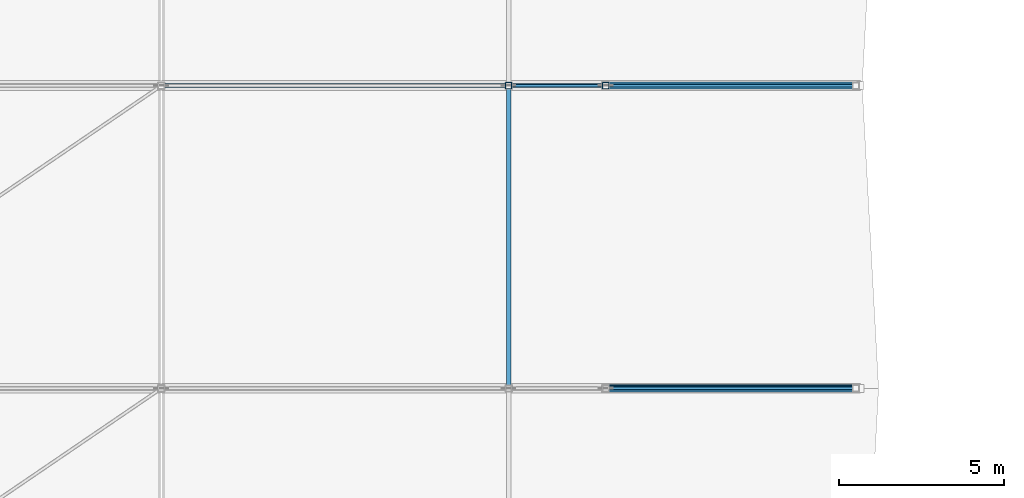
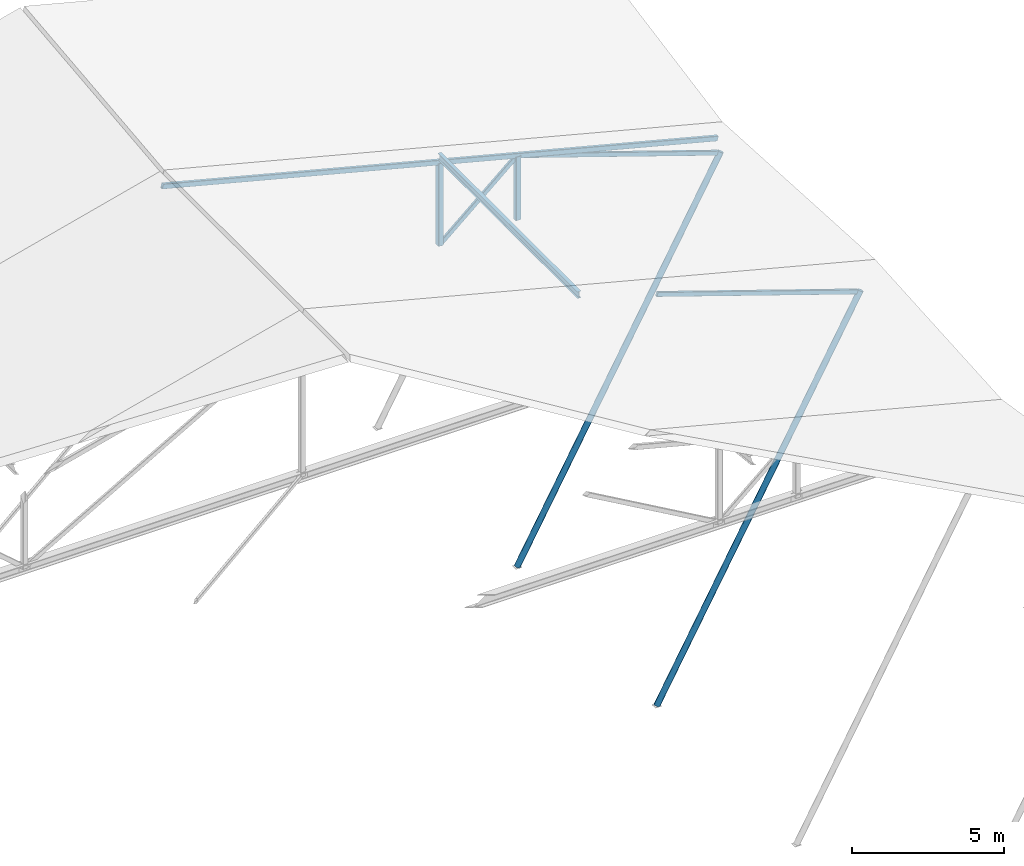
# One storey, part 23 of 56: 9 members.
"""IFC4 building model written with IfcOpenShell, lengths in metres."""

from ifc_helpers import new_model, si_unit, direction, frame, origin, origin_2d, place, context, subcontext, project, spatial, hollow_rectangle, hollow_circle, i_section, extrude, material, material_profile, profile_set, type_object, element, save


model = new_model("IFC4")

# Units and contexts
model_context = context("Model", 3, precision=1e-05, world=origin(), true_north=direction((0.0, 1.0)))
body_context = subcontext(model_context, "Body", "Model", "MODEL_VIEW")
ifc_project = project(units=[si_unit("LENGTHUNIT", "METRE"), si_unit("AREAUNIT", "SQUARE_METRE"), si_unit("VOLUMEUNIT", "CUBIC_METRE"), si_unit("PLANEANGLEUNIT", "RADIAN"), si_unit("MASSUNIT", "GRAM", prefix="KILO")], contexts=[model_context])

# Site, building, storey
site_placement = place(None, origin())
site = spatial("IfcSite", under=ifc_project, at=site_placement, CompositionType="ELEMENT")
building_placement = place(site_placement, origin())
building = spatial("IfcBuilding", under=site, at=building_placement, Name="Bozkorgan Art Gallery", CompositionType="ELEMENT")
storey_placement = place(building_placement, frame((0.0, 0.0, 24.0)))
storey = spatial("IfcBuildingStorey", under=building, at=storey_placement, Name="L05", CompositionType="ELEMENT", Elevation=24.0)

# Members
ifc_material = material(Name="Steel S355J2", Category="steel")
ifc_material_profile_1 = material_profile(ifc_material, hollow_circle(Radius=0.109619140625, WallThickness=0.010009765625, at=origin_2d()), Name="CHS 219.1x10")
ifc_profile_set_1 = profile_set([ifc_material_profile_1], Name="Steel S355J2")
member_type_1 = type_object("IfcMemberType", Name="MEMBER-ES-44", PredefinedType="BRACE", material=ifc_profile_set_1)
for number, where, z_axis, x_axis, name in (
    (1, (101.0, 66.0, -13.800048828125), (0.484367254786, 0.0, 0.874864768116), (0.0, 1.0, 0.0), "ROOF-V4-MAIN east swept-eave diagonal tree-strut 3"),
    (2, (101.0, 75.199951171875, -13.800048828125), (0.484367254786, 0.0, 0.874864768116), (0.0, 1.0, 0.0), "ROOF-V4-MAIN east swept-eave diagonal tree-strut 4"),
):
    element("IfcMember", number, at=place(storey_placement, frame(where, z_axis=z_axis, x_axis=x_axis)), inside=storey, type_object=member_type_1, Name=name, PredefinedType="BRACE", context=body_context, shape_type="SweptSolid", body=[
        extrude(hollow_circle(Radius=0.109619140625, WallThickness=0.010009765625, at=origin_2d()), origin(), (0.0, 0.0, 1.0), 15.9794921875),
    ])
ifc_material_profile_2 = material_profile(ifc_material, i_section(OverallWidth=0.135009765625, OverallDepth=0.27001953125, WebThickness=0.006591796875, FlangeThickness=0.01025390625, FilletRadius=0.014892578125, at=origin_2d()), Name="IPE 270")
ifc_profile_set_2 = profile_set([ifc_material_profile_2], Name="Steel S355J2")
member_type_2 = type_object("IfcMemberType", Name="MEMBER-PR-57", PredefinedType="PURLIN", material=ifc_profile_set_2)
member_1_placement = place(storey_placement, frame((98.050048828125, 66.0, 3.736083984375), z_axis=(0.0, 1.0, 0.0), x_axis=(-1.0, 0.0, 0.0)))
element("IfcMember", 3, at=member_1_placement, inside=storey, type_object=member_type_2, Name="ROOF-V4-MAIN roof purlin 3E", PredefinedType="PURLIN", context=body_context, shape_type="SweptSolid", body=[
    extrude(i_section(OverallWidth=0.135009765625, OverallDepth=0.27001953125, WebThickness=0.006591796875, FlangeThickness=0.01025390625, FilletRadius=0.014892578125, at=origin_2d()), origin(), (0.0, 0.0, 1.0), 9.199951171875),
])
ifc_material_profile_3 = material_profile(ifc_material, hollow_rectangle(XDim=0.1201171875, YDim=0.199951171875, WallThickness=0.008056640625, InnerFilletRadius=0.011962890625, OuterFilletRadius=0.02001953125, at=origin_2d()), Name="RHS 200x120x8")
ifc_profile_set_3 = profile_set([ifc_material_profile_3], Name="Steel S355J2")
member_type_3 = type_object("IfcMemberType", Name="MEMBER-TC-48", PredefinedType="CHORD", material=ifc_profile_set_3)
member_2_placement = place(storey_placement, frame((87.5, 75.199951171875, 6.2294921875), z_axis=(0.968148409779, 0.0, -0.250377028984), x_axis=(0.0, 1.0, 0.0)))
element("IfcMember", 4, at=member_2_placement, inside=storey, type_object=member_type_3, Name="ROOF-V4-MAIN roof truss 4 east top chord", PredefinedType="CHORD", context=body_context, shape_type="SweptSolid", body=[
    extrude(hollow_rectangle(XDim=0.1201171875, YDim=0.199951171875, WallThickness=0.008056640625, InnerFilletRadius=0.011962890625, OuterFilletRadius=0.02001953125, at=origin_2d()), origin(), (0.0, 0.0, 1.0), 21.794189453125),
])
ifc_material_profile_4 = material_profile(ifc_material, hollow_rectangle(XDim=0.199951171875, YDim=0.199951171875, WallThickness=0.010009765625, InnerFilletRadius=0.014892578125, OuterFilletRadius=0.02490234375, at=origin_2d()), Name="SHS 200x200x10")
ifc_profile_set_4 = profile_set([ifc_material_profile_4], Name="Steel S355J2")
member_type_4 = type_object("IfcMemberType", Name="MEMBER-TP-32", PredefinedType="POST", material=ifc_profile_set_4)
member_3_placement = place(storey_placement, frame((98.050048828125, 75.199951171875, 0.179931640625), z_axis=(0.0, 0.0, 1.0), x_axis=(1.0, 0.0, 0.0)))
element("IfcMember", 5, at=member_3_placement, inside=storey, type_object=member_type_4, Name="ROOF-V4-MAIN roof truss 4 post 4", PredefinedType="POST", context=body_context, shape_type="SweptSolid", body=[
    extrude(hollow_rectangle(XDim=0.199951171875, YDim=0.199951171875, WallThickness=0.010009765625, InnerFilletRadius=0.014892578125, OuterFilletRadius=0.02490234375, at=origin_2d()), origin(), (0.0, 0.0, 1.0), 3.321044921875),
])
member_4_placement = place(storey_placement, frame((101.0, 75.199951171875, 0.179931640625), z_axis=(0.0, 0.0, 1.0), x_axis=(1.0, 0.0, 0.0)))
element("IfcMember", 6, at=member_4_placement, inside=storey, type_object=member_type_4, Name="ROOF-V4-MAIN roof truss 4 post 5", PredefinedType="POST", context=body_context, shape_type="SweptSolid", body=[
    extrude(hollow_rectangle(XDim=0.199951171875, YDim=0.199951171875, WallThickness=0.010009765625, InnerFilletRadius=0.014892578125, OuterFilletRadius=0.02490234375, at=origin_2d()), origin(), (0.0, 0.0, 1.0), 2.55810546875),
])
ifc_material_profile_5 = material_profile(ifc_material, hollow_rectangle(XDim=0.10009765625, YDim=0.179931640625, WallThickness=0.008056640625, InnerFilletRadius=0.011962890625, OuterFilletRadius=0.02001953125, at=origin_2d()), Name="RHS 180x100x8")
ifc_profile_set_5 = profile_set([ifc_material_profile_5], Name="Steel S355J2")
member_type_5 = type_object("IfcMemberType", Name="MEMBER-TW-22", PredefinedType="BRACE", material=ifc_profile_set_5)
member_5_placement = place(storey_placement, frame((101.0, 66.0, 2.738037109375), z_axis=(0.947753705978, 0.0, -0.319002998112), x_axis=(0.0, 1.0, 0.0)))
element("IfcMember", 7, at=member_5_placement, inside=storey, type_object=member_type_5, Name="ROOF-V4-MAIN roof truss 3 diagonal 6", PredefinedType="BRACE", context=body_context, shape_type="SweptSolid", body=[
    extrude(hollow_rectangle(XDim=0.10009765625, YDim=0.179931640625, WallThickness=0.008056640625, InnerFilletRadius=0.011962890625, OuterFilletRadius=0.02001953125, at=origin_2d()), origin(), (0.0, 0.0, 1.0), 8.01904296875),
])
member_6_placement = place(storey_placement, frame((98.050048828125, 75.199951171875, 0.179931640625), z_axis=(0.755501315133, 0.0, 0.655147130676), x_axis=(0.0, 1.0, 0.0)))
element("IfcMember", 8, at=member_6_placement, inside=storey, type_object=member_type_5, Name="ROOF-V4-MAIN roof truss 4 diagonal 5", PredefinedType="BRACE", context=body_context, shape_type="SweptSolid", body=[
    extrude(hollow_rectangle(XDim=0.10009765625, YDim=0.179931640625, WallThickness=0.008056640625, InnerFilletRadius=0.011962890625, OuterFilletRadius=0.02001953125, at=origin_2d()), origin(), (0.0, 0.0, 1.0), 3.904541015625),
])
member_7_placement = place(storey_placement, frame((101.0, 75.199951171875, 2.738037109375), z_axis=(0.947753705978, 0.0, -0.319002998112), x_axis=(0.0, 1.0, 0.0)))
element("IfcMember", 9, at=member_7_placement, inside=storey, type_object=member_type_5, Name="ROOF-V4-MAIN roof truss 4 diagonal 6", PredefinedType="BRACE", context=body_context, shape_type="SweptSolid", body=[
    extrude(hollow_rectangle(XDim=0.10009765625, YDim=0.179931640625, WallThickness=0.008056640625, InnerFilletRadius=0.011962890625, OuterFilletRadius=0.02001953125, at=origin_2d()), origin(), (0.0, 0.0, 1.0), 8.01904296875),
])

save(model, "model.ifc")
